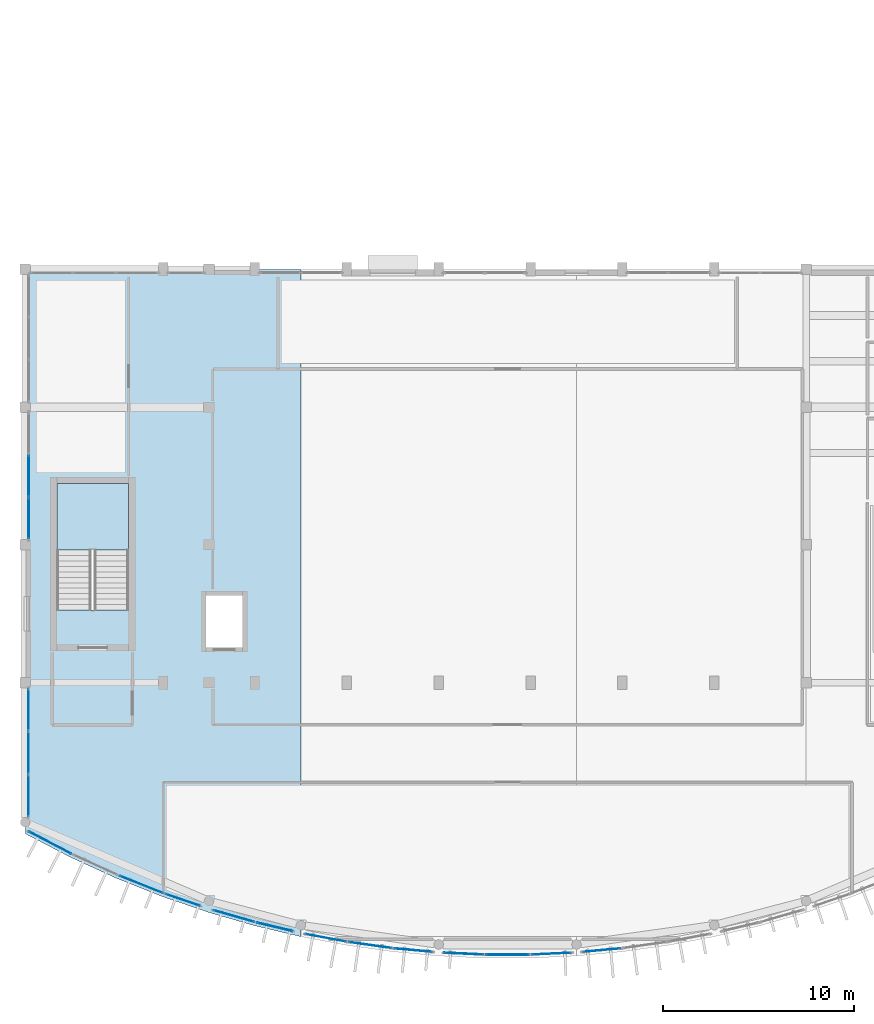
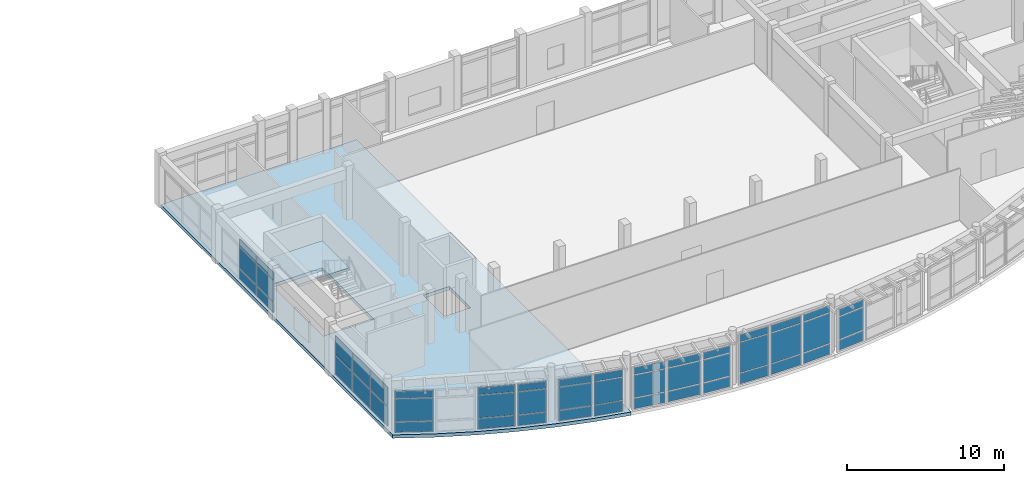
# One storey, part 28 of 60: 48 plates, 2 slabs, 15 elements without a shape of their own.
"""IFC4 building model written with IfcOpenShell, lengths in metres."""

import ifcopenshell
import ifcopenshell.guid

model = None  # the IFC model being written
_history = None  # IfcOwnerHistory: only IFC2X3 demands one
_inside = {}  # id of a spatial element -> (the spatial element, [elements in it])
_under = {}  # id of a project, library or spatial element -> (it, [spatial elements below it])
_declared = {}  # id of a project -> (the project, [libraries it declares])
_typed = {}  # id of a type object -> (the type object, [elements of that type])
_made_of = {}  # id of a material, layer set ... -> (it, [elements and type objects made of it])


def new_model(schema):
    """Start an empty IFC model of exactly this schema.

    Asked for "IFC4X3", IfcOpenShell would pick the latest addendum, in which some entities
    have other attributes; the version numbers below select the first issue.
    IFC2X3 requires an IfcOwnerHistory on every rooted entity: one is made here for all.
    """
    global model, _history
    if schema == "IFC4X3":
        model = ifcopenshell.file(schema_version=(4, 3, 0, 0))
    else:
        model = ifcopenshell.file(schema=schema)
    _inside.clear()
    _under.clear()
    _declared.clear()
    _typed.clear()
    _made_of.clear()
    _history = None
    if model.schema == "IFC2X3":
        org = make("IfcOrganization", Name="unknown")
        user = make(
            "IfcPersonAndOrganization",
            ThePerson=make("IfcPerson", FamilyName="unknown"),
            TheOrganization=org,
        )
        app = make(
            "IfcApplication",
            ApplicationDeveloper=org,
            Version="unknown",
            ApplicationFullName="unknown",
            ApplicationIdentifier="unknown",
        )
        _history = make(
            "IfcOwnerHistory",
            OwningUser=user,
            OwningApplication=app,
            ChangeAction="ADDED",
            CreationDate=0,
        )
    return model


def make(cls, **values):
    """One entity of the class cls with the attributes given. An attribute that is None is left unset."""
    return model.create_entity(
        cls, **{name: value for name, value in values.items() if value is not None}
    )


def rooted(cls, **values):
    """An entity with a GlobalId (a new one), such as an element, a storey or a relation."""
    return make(cls, GlobalId=ifcopenshell.guid.new(), OwnerHistory=_history, **values)


def si_unit(unit_type, name, prefix=None):
    """IfcSIUnit, for example si_unit("LENGTHUNIT", "METRE", prefix="MILLI")."""
    return make("IfcSIUnit", UnitType=unit_type, Prefix=prefix, Name=name)


def assignment(units):
    """IfcUnitAssignment: the units of a project."""
    return None if units is None else make("IfcUnitAssignment", Units=units)


def point(xyz):
    """IfcCartesianPoint."""
    return None if xyz is None else make("IfcCartesianPoint", Coordinates=xyz)


def direction(xyz):
    """IfcDirection."""
    return None if xyz is None else make("IfcDirection", DirectionRatios=xyz)


def frame(location, z_axis=None, x_axis=None):
    """IfcAxis2Placement3D, a coordinate frame: its origin and axes. An axis left out is left unset."""
    return make(
        "IfcAxis2Placement3D",
        Location=point(location),
        Axis=direction(z_axis),
        RefDirection=direction(x_axis),
    )


def frame_2d(location, x_axis=None):
    """IfcAxis2Placement2D, a coordinate frame in the plane: its origin and x axis."""
    return make(
        "IfcAxis2Placement2D", Location=point(location), RefDirection=direction(x_axis)
    )


def origin():
    """The frame at (0, 0, 0) with its axes left unset."""
    return frame((0.0, 0.0, 0.0))


def origin_2d():
    """The frame at (0, 0) in the plane with its x axis left unset."""
    return frame_2d((0.0, 0.0))


def place(relative_to, where):
    """IfcLocalPlacement: puts the frame where relative to a parent placement (None: the world)."""
    return make(
        "IfcLocalPlacement", PlacementRelTo=relative_to, RelativePlacement=where
    )


def context(
    kind, dimensions, precision=None, world=None, true_north=None, identifier=None
):
    """IfcGeometricRepresentationContext, for example the 3D "Model" context."""
    return make(
        "IfcGeometricRepresentationContext",
        ContextIdentifier=identifier,
        ContextType=kind,
        CoordinateSpaceDimension=dimensions,
        Precision=precision,
        WorldCoordinateSystem=world,
        TrueNorth=true_north,
    )


def subcontext(parent, identifier, kind, view, scale=None):
    """IfcGeometricRepresentationSubContext, for example "Body" below "Model"."""
    return make(
        "IfcGeometricRepresentationSubContext",
        ContextIdentifier=identifier,
        ContextType=kind,
        ParentContext=parent,
        TargetScale=scale,
        TargetView=view,
    )


def project(units=None, contexts=None):
    """IfcProject with its units and contexts."""
    return rooted(
        "IfcProject",
        Name="project",
        RepresentationContexts=contexts,
        UnitsInContext=assignment(units),
    )


def spatial(cls, under=None, at=None, **own):
    """A site, building, storey or space (cls), placed at a placement, below another one or the project."""
    s = rooted(cls, ObjectPlacement=at, **own)
    if under is not None:
        _under.setdefault(under.id(), (under, []))[1].append(s)
    return s


def polyline(points):
    """IfcPolyline through the points."""
    return make("IfcPolyline", Points=[point(p) for p in points])


def profile(cls, at=None, kind="AREA", **sizes):
    """A parametric profile (cls). Its sizes go by their IFC names, for example OverallWidth=200.0."""
    return make(cls, ProfileType=kind, Position=at, **sizes)


def rectangle(**sizes):
    """IfcRectangleProfileDef."""
    return profile("IfcRectangleProfileDef", **sizes)


def outline(outer, holes=None, kind="AREA"):
    """IfcArbitraryClosedProfileDef: a profile drawn as a closed curve; with holes, ...WithVoids."""
    if holes is None:
        return make("IfcArbitraryClosedProfileDef", ProfileType=kind, OuterCurve=outer)
    return make(
        "IfcArbitraryProfileDefWithVoids",
        ProfileType=kind,
        OuterCurve=outer,
        InnerCurves=holes,
    )


def extrude(swept, where, along, depth):
    """IfcExtrudedAreaSolid: the profile swept, set in the frame where, extruded along a direction by depth."""
    return make(
        "IfcExtrudedAreaSolid",
        SweptArea=swept,
        Position=where,
        ExtrudedDirection=direction(along),
        Depth=depth,
    )


def shape(context_of_items, identifier, shape_type, items):
    """IfcShapeRepresentation: the items that make up one representation, for example the "Body"."""
    return make(
        "IfcShapeRepresentation",
        ContextOfItems=context_of_items,
        RepresentationIdentifier=identifier,
        RepresentationType=shape_type,
        Items=items,
    )


def material(Name=None, Category=None):
    """IfcMaterial."""
    return make("IfcMaterial", Name=Name, Category=Category)


def layer(
    of_material, thickness, ventilated=None, Name=None, Category=None, Priority=None
):
    """IfcMaterialLayer: one layer of a wall or slab, of a material (None: an air gap)."""
    return make(
        "IfcMaterialLayer",
        Material=of_material,
        LayerThickness=thickness,
        IsVentilated=ventilated,
        Name=Name,
        Category=Category,
        Priority=Priority,
    )


def layer_set(layers, Name=None):
    """IfcMaterialLayerSet."""
    return make("IfcMaterialLayerSet", MaterialLayers=layers, LayerSetName=Name)


def made_of(thing, what):
    """Note that an element or type object is made of a material, layer set ...; save() writes the relation."""
    if what is not None:
        _made_of.setdefault(what.id(), (what, []))[1].append(thing)
    return thing


def type_object(cls, material=None, **own):
    """A type object (cls), such as IfcWallType, which elements share."""
    return made_of(rooted(cls, **own), material)


def element(
    cls,
    number,
    at=None,
    inside=None,
    cuts=None,
    type_object=None,
    material=None,
    context=None,
    identifier="Body",
    shape_type=None,
    held_by="IfcProductDefinitionShape",
    body=None,
    shapes=None,
    **own,
):
    """One element of the class cls, such as IfcWall. Its Tag is "e" and its number.

    at: its placement. inside: the storey or other place that contains it. cuts: it is an
    opening in that element (IfcRelVoidsElement). A single representation is given by context,
    identifier, shape_type and body (its items); several are given by shapes. held_by: the class
    of the entity that holds the representations. save() writes the other relations.
    """
    e = rooted(cls, Tag="e%d" % number, ObjectPlacement=at, **own)
    if body is not None:
        shapes = [shape(context, identifier, shape_type, body)]
    if shapes is not None:
        e.Representation = make(held_by, Representations=shapes)
    if inside is not None:
        _inside.setdefault(inside.id(), (inside, []))[1].append(e)
    if cuts is not None:
        rooted(
            "IfcRelVoidsElement", RelatingBuildingElement=cuts, RelatedOpeningElement=e
        )
    if type_object is not None:
        _typed.setdefault(type_object.id(), (type_object, []))[1].append(e)
    return made_of(e, material)


def aggregate(whole, parts):
    """IfcRelAggregates: a whole, such as a stair, and the parts it consists of."""
    return rooted("IfcRelAggregates", RelatingObject=whole, RelatedObjects=parts)


def save(model, path):
    """Write the relations noted so far, then the file.

    IfcRelAggregates (storeys below a building ...), IfcRelContainedInSpatialStructure (elements
    in a storey), IfcRelDefinesByType, IfcRelAssociatesMaterial and IfcRelDeclares: one each for
    every whole, place, type object, material and project.
    """
    for whole, parts in _under.values():
        aggregate(whole, parts)
    for where, things in _inside.values():
        rooted(
            "IfcRelContainedInSpatialStructure",
            RelatedElements=things,
            RelatingStructure=where,
        )
    for kind, things in _typed.values():
        rooted("IfcRelDefinesByType", RelatedObjects=things, RelatingType=kind)
    for what, things in _made_of.values():
        rooted("IfcRelAssociatesMaterial", RelatedObjects=things, RelatingMaterial=what)
    for by, libraries in _declared.values():
        rooted("IfcRelDeclares", RelatingContext=by, RelatedDefinitions=libraries)
    model.write(path)


model = new_model("IFC4")

# Units and contexts
model_context = context("Model", 3, precision=1e-05, world=origin(), true_north=direction((0.0, 1.0)))
body_context = subcontext(model_context, "Body", "Model", "MODEL_VIEW")
ifc_project = project(units=[si_unit("LENGTHUNIT", "METRE"), si_unit("AREAUNIT", "SQUARE_METRE"), si_unit("VOLUMEUNIT", "CUBIC_METRE"), si_unit("PLANEANGLEUNIT", "RADIAN"), si_unit("MASSUNIT", "GRAM", prefix="KILO")], contexts=[model_context])

# Site, building, storey
site_placement = place(None, origin())
site = spatial("IfcSite", under=ifc_project, at=site_placement, CompositionType="ELEMENT")
building_placement = place(site_placement, origin())
building = spatial("IfcBuilding", under=site, at=building_placement, Name="Brisavento Harbour Community Centre", CompositionType="ELEMENT")
storey_placement = place(building_placement, frame((0.0, 0.0, 4.5)))
storey = spatial("IfcBuildingStorey", under=building, at=storey_placement, Name="L01", CompositionType="ELEMENT", Elevation=4.5)

# Curtain wall, plates
ifc_material_1 = material(Name="Marine-anodised aluminium AW-6063-T6", Category="aluminium")
ifc_layer_1 = layer(ifc_material_1, 0.179931640625, Name="Marine-anodised aluminium AW-6063-T6")
ifc_layer_set_1 = layer_set([ifc_layer_1], Name="Marine-anodised aluminium AW-6063-T6")
curtain_wall_type_1 = type_object("IfcCurtainWallType", Name="CW-SYS-26", PredefinedType="USERDEFINED", material=ifc_layer_set_1)
curtain_wall_1_placement = place(storey_placement, origin())
curtain_wall_1 = element("IfcCurtainWall", 1, at=curtain_wall_1_placement, inside=storey, type_object=curtain_wall_type_1, Name="L01 V1 unitised curtain wall 026", ObjectType="UNITISED CURTAIN WALL", PredefinedType="USERDEFINED")
ifc_material_2 = material(Name="Solar-control laminated low-E glass", Category="glass")
ifc_layer_2 = layer(ifc_material_2, 0.02392578125, Name="Solar-control laminated low-E glass")
ifc_layer_set_2 = layer_set([ifc_layer_2], Name="Solar-control laminated low-E glass")
plate_type_1 = type_object("IfcPlateType", Name="CWP-GLZ-1", PredefinedType="CURTAIN_PANEL", material=ifc_layer_set_2)
plate_1_placement = place(storey_placement, frame((15.7060546875, 1.07177734375, 0.070068359375), z_axis=(0.0, 0.0, 1.0), x_axis=(-0.982796895513, 0.184689637418, 0.0)))
plate_1 = element("IfcPlate", 2, at=plate_1_placement, type_object=plate_type_1, Name="CW-26 panel 1.1", PredefinedType="CURTAIN_PANEL", context=body_context, shape_type="SweptSolid", body=[
    extrude(rectangle(XDim=2.117919921875, YDim=0.02392578125, at=origin_2d()), origin(), (0.0, 0.0, 1.0), 0.794921875),
])
plate_2_placement = place(storey_placement, frame((15.7060546875, 1.07177734375, 0.93505859375), z_axis=(0.0, 0.0, 1.0), x_axis=(-0.982796895513, 0.184689637418, 0.0)))
plate_2 = element("IfcPlate", 3, at=plate_2_placement, type_object=plate_type_1, Name="CW-26 panel 1.2", PredefinedType="CURTAIN_PANEL", context=body_context, shape_type="SweptSolid", body=[
    extrude(rectangle(XDim=2.117919921875, YDim=0.02392578125, at=origin_2d()), origin(), (0.0, 0.0, 1.0), 1.72998046875),
])
plate_3_placement = place(storey_placement, frame((15.7060546875, 1.07177734375, 2.735107421875), z_axis=(0.0, 0.0, 1.0), x_axis=(-0.982796895513, 0.184689637418, 0.0)))
plate_3 = element("IfcPlate", 4, at=plate_3_placement, type_object=plate_type_1, Name="CW-26 panel 1.3", PredefinedType="CURTAIN_PANEL", context=body_context, shape_type="SweptSolid", body=[
    extrude(rectangle(XDim=2.117919921875, YDim=0.02392578125, at=origin_2d()), origin(), (0.0, 0.0, 1.0), 0.544921875),
])
aggregate(curtain_wall_1, [plate_1, plate_2, plate_3])

ifc_layer_3 = layer(ifc_material_1, 0.179931640625, Name="Marine-anodised aluminium AW-6063-T6")
ifc_layer_set_3 = layer_set([ifc_layer_3], Name="Marine-anodised aluminium AW-6063-T6")
curtain_wall_type_2 = type_object("IfcCurtainWallType", Name="CW-SYS-03", PredefinedType="USERDEFINED", material=ifc_layer_set_3)
curtain_wall_2_placement = place(storey_placement, origin())
curtain_wall_2 = element("IfcCurtainWall", 5, at=curtain_wall_2_placement, inside=storey, type_object=curtain_wall_type_2, Name="L01 V1 unitised curtain wall 031", ObjectType="UNITISED CURTAIN WALL", PredefinedType="USERDEFINED")
plate_4_placement = place(storey_placement, frame((27.491455078125, 0.244384765625, 0.074951171875), z_axis=(0.0, 0.0, 1.0), x_axis=(-0.998933696469, -0.046167846582, 0.0)))
plate_4 = element("IfcPlate", 6, at=plate_4_placement, type_object=plate_type_1, Name="CW-03 panel 1.1", PredefinedType="CURTAIN_PANEL", context=body_context, shape_type="SweptSolid", body=[
    extrude(rectangle(XDim=2.01611328125, YDim=0.02392578125, at=origin_2d()), origin(), (0.0, 0.0, 1.0), 0.78759765625),
])
plate_5_placement = place(storey_placement, frame((27.491455078125, 0.244384765625, 0.9375), z_axis=(0.0, 0.0, 1.0), x_axis=(-0.998933696469, -0.046167846582, 0.0)))
plate_5 = element("IfcPlate", 7, at=plate_5_placement, type_object=plate_type_1, Name="CW-03 panel 1.2", PredefinedType="CURTAIN_PANEL", context=body_context, shape_type="SweptSolid", body=[
    extrude(rectangle(XDim=2.01611328125, YDim=0.02392578125, at=origin_2d()), origin(), (0.0, 0.0, 1.0), 2.324951171875),
])
plate_6_placement = place(storey_placement, frame((27.491455078125, 0.244384765625, 3.33740234375), z_axis=(0.0, 0.0, 1.0), x_axis=(-0.998933696469, -0.046167846582, 0.0)))
plate_6 = element("IfcPlate", 8, at=plate_6_placement, type_object=plate_type_1, Name="CW-03 panel 1.3", PredefinedType="CURTAIN_PANEL", context=body_context, shape_type="SweptSolid", body=[
    extrude(rectangle(XDim=2.01611328125, YDim=0.02392578125, at=origin_2d()), origin(), (0.0, 0.0, 1.0), 0.53759765625),
])
aggregate(curtain_wall_2, [plate_4, plate_5, plate_6])

ifc_layer_4 = layer(ifc_material_1, 0.179931640625, Name="Marine-anodised aluminium AW-6063-T6")
ifc_layer_set_4 = layer_set([ifc_layer_4], Name="Marine-anodised aluminium AW-6063-T6")
curtain_wall_type_3 = type_object("IfcCurtainWallType", Name="CW-SYS-22", PredefinedType="USERDEFINED", material=ifc_layer_set_4)
curtain_wall_3_placement = place(storey_placement, origin())
curtain_wall_3 = element("IfcCurtainWall", 9, at=curtain_wall_3_placement, inside=storey, type_object=curtain_wall_type_3, Name="L01 V1 unitised curtain wall 022", ObjectType="UNITISED CURTAIN WALL", PredefinedType="USERDEFINED")
ifc_layer_5 = layer(ifc_material_2, 0.028076171875, Name="Solar-control laminated low-E glass")
ifc_layer_set_5 = layer_set([ifc_layer_5], Name="Solar-control laminated low-E glass")
plate_type_2 = type_object("IfcPlateType", Name="CWP-GLZ-2", PredefinedType="CURTAIN_PANEL", material=ifc_layer_set_5)
plate_7_placement = place(storey_placement, frame((6.06640625, 3.85888671875, 0.070068359375), z_axis=(0.0, 0.0, 1.0), x_axis=(-0.929278798027, 0.369379094613, 0.0)))
plate_7 = element("IfcPlate", 10, at=plate_7_placement, type_object=plate_type_2, Name="CW-22 panel 1.1", PredefinedType="CURTAIN_PANEL", context=body_context, shape_type="SweptSolid", body=[
    extrude(rectangle(XDim=2.40673828125, YDim=0.028076171875, at=origin_2d()), origin(), (0.0, 0.0, 1.0), 0.794921875),
])
plate_8_placement = place(storey_placement, frame((6.06640625, 3.85888671875, 0.93505859375), z_axis=(0.0, 0.0, 1.0), x_axis=(-0.929278798027, 0.369379094613, 0.0)))
plate_8 = element("IfcPlate", 11, at=plate_8_placement, type_object=plate_type_2, Name="CW-22 panel 1.2", PredefinedType="CURTAIN_PANEL", context=body_context, shape_type="SweptSolid", body=[
    extrude(rectangle(XDim=2.40673828125, YDim=0.028076171875, at=origin_2d()), origin(), (0.0, 0.0, 1.0), 1.72998046875),
])
plate_9_placement = place(storey_placement, frame((6.06640625, 3.85888671875, 2.735107421875), z_axis=(0.0, 0.0, 1.0), x_axis=(-0.929278798027, 0.369379094613, 0.0)))
plate_9 = element("IfcPlate", 12, at=plate_9_placement, type_object=plate_type_2, Name="CW-22 panel 1.3", PredefinedType="CURTAIN_PANEL", context=body_context, shape_type="SweptSolid", body=[
    extrude(rectangle(XDim=2.40673828125, YDim=0.028076171875, at=origin_2d()), origin(), (0.0, 0.0, 1.0), 0.544921875),
])
aggregate(curtain_wall_3, [plate_7, plate_8, plate_9])

ifc_layer_6 = layer(ifc_material_1, 0.179931640625, Name="Marine-anodised aluminium AW-6063-T6")
ifc_layer_set_6 = layer_set([ifc_layer_6], Name="Marine-anodised aluminium AW-6063-T6")
curtain_wall_type_4 = type_object("IfcCurtainWallType", Name="CW-SYS-27", PredefinedType="USERDEFINED", material=ifc_layer_set_6)
curtain_wall_4_placement = place(storey_placement, origin())
curtain_wall_4 = element("IfcCurtainWall", 13, at=curtain_wall_4_placement, inside=storey, type_object=curtain_wall_type_4, Name="L01 V1 unitised curtain wall 027", ObjectType="UNITISED CURTAIN WALL", PredefinedType="USERDEFINED")
plate_10_placement = place(storey_placement, frame((18.02490234375, 0.693359375, 0.074951171875), z_axis=(0.0, 0.0, 1.0), x_axis=(-0.990365657711, 0.138476944024, 0.0)))
plate_10 = element("IfcPlate", 14, at=plate_10_placement, type_object=plate_type_2, Name="CW-27 panel 1.1", PredefinedType="CURTAIN_PANEL", context=body_context, shape_type="SweptSolid", body=[
    extrude(rectangle(XDim=2.2373046875, YDim=0.028076171875, at=origin_2d()), origin(), (0.0, 0.0, 1.0), 0.78759765625),
])
plate_11_placement = place(storey_placement, frame((18.02490234375, 0.693359375, 0.9375), z_axis=(0.0, 0.0, 1.0), x_axis=(-0.990365657711, 0.138476944024, 0.0)))
plate_11 = element("IfcPlate", 15, at=plate_11_placement, type_object=plate_type_2, Name="CW-27 panel 1.2", PredefinedType="CURTAIN_PANEL", context=body_context, shape_type="SweptSolid", body=[
    extrude(rectangle(XDim=2.2373046875, YDim=0.028076171875, at=origin_2d()), origin(), (0.0, 0.0, 1.0), 1.72509765625),
])
plate_12_placement = place(storey_placement, frame((18.02490234375, 0.693359375, 2.737548828125), z_axis=(0.0, 0.0, 1.0), x_axis=(-0.990365657711, 0.138476944024, 0.0)))
plate_12 = element("IfcPlate", 16, at=plate_12_placement, type_object=plate_type_2, Name="CW-27 panel 1.3", PredefinedType="CURTAIN_PANEL", context=body_context, shape_type="SweptSolid", body=[
    extrude(rectangle(XDim=2.2373046875, YDim=0.028076171875, at=origin_2d()), origin(), (0.0, 0.0, 1.0), 0.53759765625),
])
aggregate(curtain_wall_4, [plate_10, plate_11, plate_12])

ifc_layer_7 = layer(ifc_material_1, 0.179931640625, Name="Marine-anodised aluminium AW-6063-T6")
ifc_layer_set_7 = layer_set([ifc_layer_7], Name="Marine-anodised aluminium AW-6063-T6")
curtain_wall_type_5 = type_object("IfcCurtainWallType", Name="CW-SYS-04", PredefinedType="USERDEFINED", material=ifc_layer_set_7)
curtain_wall_5_placement = place(storey_placement, origin())
curtain_wall_5 = element("IfcCurtainWall", 17, at=curtain_wall_5_placement, inside=storey, type_object=curtain_wall_type_5, Name="L01 V1 unitised curtain wall 032", ObjectType="UNITISED CURTAIN WALL", PredefinedType="USERDEFINED")
plate_13_placement = place(storey_placement, frame((30.1298828125, 0.428955078125, 0.080078125), z_axis=(0.0, 0.0, 1.0), x_axis=(-0.99573486877, -0.092260886159, 0.0)))
plate_13 = element("IfcPlate", 18, at=plate_13_placement, type_object=plate_type_2, Name="CW-04 panel 1.1", PredefinedType="CURTAIN_PANEL", context=body_context, shape_type="SweptSolid", body=[
    extrude(rectangle(XDim=1.919921875, YDim=0.028076171875, at=origin_2d()), origin(), (0.0, 0.0, 1.0), 0.780029296875),
])
plate_14_placement = place(storey_placement, frame((30.1298828125, 0.428955078125, 0.93994140625), z_axis=(0.0, 0.0, 1.0), x_axis=(-0.99573486877, -0.092260886159, 0.0)))
plate_14 = element("IfcPlate", 19, at=plate_14_placement, type_object=plate_type_2, Name="CW-04 panel 1.2", PredefinedType="CURTAIN_PANEL", context=body_context, shape_type="SweptSolid", body=[
    extrude(rectangle(XDim=1.919921875, YDim=0.028076171875, at=origin_2d()), origin(), (0.0, 0.0, 1.0), 1.719970703125),
])
plate_15_placement = place(storey_placement, frame((30.1298828125, 0.428955078125, 2.73974609375), z_axis=(0.0, 0.0, 1.0), x_axis=(-0.99573486877, -0.092260886159, 0.0)))
plate_15 = element("IfcPlate", 20, at=plate_15_placement, type_object=plate_type_2, Name="CW-04 panel 1.3", PredefinedType="CURTAIN_PANEL", context=body_context, shape_type="SweptSolid", body=[
    extrude(rectangle(XDim=1.919921875, YDim=0.028076171875, at=origin_2d()), origin(), (0.0, 0.0, 1.0), 0.530029296875),
])
aggregate(curtain_wall_5, [plate_13, plate_14, plate_15])

ifc_layer_8 = layer(ifc_material_1, 0.179931640625, Name="Marine-anodised aluminium AW-6063-T6")
ifc_layer_set_8 = layer_set([ifc_layer_8], Name="Marine-anodised aluminium AW-6063-T6")
curtain_wall_type_6 = type_object("IfcCurtainWallType", Name="CW-SYS-19", PredefinedType="USERDEFINED", material=ifc_layer_set_8)
curtain_wall_6_placement = place(storey_placement, origin())
curtain_wall_6 = element("IfcCurtainWall", 21, at=curtain_wall_6_placement, inside=storey, type_object=curtain_wall_type_6, Name="L01 V1 unitised curtain wall 047", ObjectType="UNITISED CURTAIN WALL", PredefinedType="USERDEFINED")
plate_16_placement = place(storey_placement, frame((0.179931640625, 8.499755859375, 0.074951171875), z_axis=(0.0, 0.0, 1.0), x_axis=(0.0, 1.0, 0.0)))
plate_16 = element("IfcPlate", 22, at=plate_16_placement, type_object=plate_type_2, Name="CW-19 panel 1.1", PredefinedType="CURTAIN_PANEL", context=body_context, shape_type="SweptSolid", body=[
    extrude(rectangle(XDim=2.151123046875, YDim=0.028076171875, at=origin_2d()), origin(), (0.0, 0.0, 1.0), 1.46240234375),
])
plate_17_placement = place(storey_placement, frame((0.179931640625, 8.499755859375, 1.612548828125), z_axis=(0.0, 0.0, 1.0), x_axis=(0.0, 1.0, 0.0)))
plate_17 = element("IfcPlate", 23, at=plate_17_placement, type_object=plate_type_2, Name="CW-19 panel 1.2", PredefinedType="CURTAIN_PANEL", context=body_context, shape_type="SweptSolid", body=[
    extrude(rectangle(XDim=2.151123046875, YDim=0.028076171875, at=origin_2d()), origin(), (0.0, 0.0, 1.0), 1.46240234375),
])
plate_18_placement = place(storey_placement, frame((0.179931640625, 10.74462890625, 0.074951171875), z_axis=(0.0, 0.0, 1.0), x_axis=(0.0, 1.0, 0.0)))
plate_18 = element("IfcPlate", 24, at=plate_18_placement, type_object=plate_type_2, Name="CW-19 panel 2.1", PredefinedType="CURTAIN_PANEL", context=body_context, shape_type="SweptSolid", body=[
    extrude(rectangle(XDim=2.188720703125, YDim=0.028076171875, at=origin_2d()), origin(), (0.0, 0.0, 1.0), 1.46240234375),
])
plate_19_placement = place(storey_placement, frame((0.179931640625, 10.74462890625, 1.612548828125), z_axis=(0.0, 0.0, 1.0), x_axis=(0.0, 1.0, 0.0)))
plate_19 = element("IfcPlate", 25, at=plate_19_placement, type_object=plate_type_2, Name="CW-19 panel 2.2", PredefinedType="CURTAIN_PANEL", context=body_context, shape_type="SweptSolid", body=[
    extrude(rectangle(XDim=2.188720703125, YDim=0.028076171875, at=origin_2d()), origin(), (0.0, 0.0, 1.0), 1.46240234375),
])
plate_20_placement = place(storey_placement, frame((0.179931640625, 12.989501953125, 0.074951171875), z_axis=(0.0, 0.0, 1.0), x_axis=(0.0, 1.0, 0.0)))
plate_20 = element("IfcPlate", 26, at=plate_20_placement, type_object=plate_type_2, Name="CW-19 panel 3.1", PredefinedType="CURTAIN_PANEL", context=body_context, shape_type="SweptSolid", body=[
    extrude(rectangle(XDim=2.151123046875, YDim=0.028076171875, at=origin_2d()), origin(), (0.0, 0.0, 1.0), 1.46240234375),
])
plate_21_placement = place(storey_placement, frame((0.179931640625, 12.989501953125, 1.612548828125), z_axis=(0.0, 0.0, 1.0), x_axis=(0.0, 1.0, 0.0)))
plate_21 = element("IfcPlate", 27, at=plate_21_placement, type_object=plate_type_2, Name="CW-19 panel 3.2", PredefinedType="CURTAIN_PANEL", context=body_context, shape_type="SweptSolid", body=[
    extrude(rectangle(XDim=2.151123046875, YDim=0.028076171875, at=origin_2d()), origin(), (0.0, 0.0, 1.0), 1.46240234375),
])
aggregate(curtain_wall_6, [plate_16, plate_17, plate_18, plate_19, plate_20, plate_21])

ifc_layer_9 = layer(ifc_material_1, 0.179931640625, Name="Marine-anodised aluminium AW-6063-T6")
ifc_layer_set_9 = layer_set([ifc_layer_9], Name="Marine-anodised aluminium AW-6063-T6")
curtain_wall_type_7 = type_object("IfcCurtainWallType", Name="CW-SYS-23", PredefinedType="USERDEFINED", material=ifc_layer_set_9)
curtain_wall_7_placement = place(storey_placement, origin())
curtain_wall_7 = element("IfcCurtainWall", 28, at=curtain_wall_7_placement, inside=storey, type_object=curtain_wall_type_7, Name="L01 V1 unitised curtain wall 023", ObjectType="UNITISED CURTAIN WALL", PredefinedType="USERDEFINED")
ifc_layer_10 = layer(ifc_material_2, 0.031982421875, Name="Solar-control laminated low-E glass")
ifc_layer_set_10 = layer_set([ifc_layer_10], Name="Solar-control laminated low-E glass")
plate_type_3 = type_object("IfcPlateType", Name="CWP-GLZ-3", PredefinedType="CURTAIN_PANEL", material=ifc_layer_set_10)
plate_22_placement = place(storey_placement, frame((8.23193359375, 3.052490234375, 0.074951171875), z_axis=(0.0, 0.0, 1.0), x_axis=(-0.946338050136, 0.323178425743, 0.0)))
plate_22 = element("IfcPlate", 29, at=plate_22_placement, type_object=plate_type_3, Name="CW-23 panel 1.1", PredefinedType="CURTAIN_PANEL", context=body_context, shape_type="SweptSolid", body=[
    extrude(rectangle(XDim=1.871826171875, YDim=0.031982421875, at=origin_2d()), origin(), (0.0, 0.0, 1.0), 0.78759765625),
])
plate_23_placement = place(storey_placement, frame((8.23193359375, 3.052490234375, 0.9375), z_axis=(0.0, 0.0, 1.0), x_axis=(-0.946338050136, 0.323178425743, 0.0)))
plate_23 = element("IfcPlate", 30, at=plate_23_placement, type_object=plate_type_3, Name="CW-23 panel 1.2", PredefinedType="CURTAIN_PANEL", context=body_context, shape_type="SweptSolid", body=[
    extrude(rectangle(XDim=1.871826171875, YDim=0.031982421875, at=origin_2d()), origin(), (0.0, 0.0, 1.0), 1.72509765625),
])
plate_24_placement = place(storey_placement, frame((8.23193359375, 3.052490234375, 2.737548828125), z_axis=(0.0, 0.0, 1.0), x_axis=(-0.946338050136, 0.323178425743, 0.0)))
plate_24 = element("IfcPlate", 31, at=plate_24_placement, type_object=plate_type_3, Name="CW-23 panel 1.3", PredefinedType="CURTAIN_PANEL", context=body_context, shape_type="SweptSolid", body=[
    extrude(rectangle(XDim=1.871826171875, YDim=0.031982421875, at=origin_2d()), origin(), (0.0, 0.0, 1.0), 0.53759765625),
])
aggregate(curtain_wall_7, [plate_22, plate_23, plate_24])

ifc_layer_11 = layer(ifc_material_1, 0.179931640625, Name="Marine-anodised aluminium AW-6063-T6")
ifc_layer_set_11 = layer_set([ifc_layer_11], Name="Marine-anodised aluminium AW-6063-T6")
curtain_wall_type_8 = type_object("IfcCurtainWallType", Name="CW-SYS-28", PredefinedType="USERDEFINED", material=ifc_layer_set_11)
curtain_wall_8_placement = place(storey_placement, origin())
curtain_wall_8 = element("IfcCurtainWall", 32, at=curtain_wall_8_placement, inside=storey, type_object=curtain_wall_type_8, Name="L01 V1 unitised curtain wall 028", ObjectType="UNITISED CURTAIN WALL", PredefinedType="USERDEFINED")
plate_25_placement = place(storey_placement, frame((20.27001953125, 0.428955078125, 0.080078125), z_axis=(0.0, 0.0, 1.0), x_axis=(-0.99573486877, 0.092260886159, 0.0)))
plate_25 = element("IfcPlate", 33, at=plate_25_placement, type_object=plate_type_3, Name="CW-28 panel 1.1", PredefinedType="CURTAIN_PANEL", context=body_context, shape_type="SweptSolid", body=[
    extrude(rectangle(XDim=1.919921875, YDim=0.031982421875, at=origin_2d()), origin(), (0.0, 0.0, 1.0), 0.780029296875),
])
plate_26_placement = place(storey_placement, frame((20.27001953125, 0.428955078125, 0.93994140625), z_axis=(0.0, 0.0, 1.0), x_axis=(-0.99573486877, 0.092260886159, 0.0)))
plate_26 = element("IfcPlate", 34, at=plate_26_placement, type_object=plate_type_3, Name="CW-28 panel 1.2", PredefinedType="CURTAIN_PANEL", context=body_context, shape_type="SweptSolid", body=[
    extrude(rectangle(XDim=1.919921875, YDim=0.031982421875, at=origin_2d()), origin(), (0.0, 0.0, 1.0), 1.719970703125),
])
plate_27_placement = place(storey_placement, frame((20.27001953125, 0.428955078125, 2.73974609375), z_axis=(0.0, 0.0, 1.0), x_axis=(-0.99573486877, 0.092260886159, 0.0)))
plate_27 = element("IfcPlate", 35, at=plate_27_placement, type_object=plate_type_3, Name="CW-28 panel 1.3", PredefinedType="CURTAIN_PANEL", context=body_context, shape_type="SweptSolid", body=[
    extrude(rectangle(XDim=1.919921875, YDim=0.031982421875, at=origin_2d()), origin(), (0.0, 0.0, 1.0), 0.530029296875),
])
aggregate(curtain_wall_8, [plate_25, plate_26, plate_27])

ifc_layer_12 = layer(ifc_material_1, 0.179931640625, Name="Marine-anodised aluminium AW-6063-T6")
ifc_layer_set_12 = layer_set([ifc_layer_12], Name="Marine-anodised aluminium AW-6063-T6")
curtain_wall_type_9 = type_object("IfcCurtainWallType", Name="CW-SYS-20", PredefinedType="USERDEFINED", material=ifc_layer_set_12)
curtain_wall_9_placement = place(storey_placement, origin())
curtain_wall_9 = element("IfcCurtainWall", 36, at=curtain_wall_9_placement, inside=storey, type_object=curtain_wall_type_9, Name="L01 V1 unitised curtain wall 048", ObjectType="UNITISED CURTAIN WALL", PredefinedType="USERDEFINED")
plate_28_placement = place(storey_placement, frame((0.179931640625, 22.993408203125, 0.080078125), z_axis=(0.0, 0.0, 1.0), x_axis=(0.0, 1.0, 0.0)))
plate_28 = element("IfcPlate", 37, at=plate_28_placement, type_object=plate_type_3, Name="CW-20 panel 1.1", PredefinedType="CURTAIN_PANEL", context=body_context, shape_type="SweptSolid", body=[
    extrude(rectangle(XDim=2.106689453125, YDim=0.031982421875, at=origin_2d()), origin(), (0.0, 0.0, 1.0), 0.780029296875),
])
plate_29_placement = place(storey_placement, frame((0.179931640625, 22.993408203125, 0.93994140625), z_axis=(0.0, 0.0, 1.0), x_axis=(0.0, 1.0, 0.0)))
plate_29 = element("IfcPlate", 38, at=plate_29_placement, type_object=plate_type_3, Name="CW-20 panel 1.2", PredefinedType="CURTAIN_PANEL", context=body_context, shape_type="SweptSolid", body=[
    extrude(rectangle(XDim=2.106689453125, YDim=0.031982421875, at=origin_2d()), origin(), (0.0, 0.0, 1.0), 1.6201171875),
])
plate_30_placement = place(storey_placement, frame((0.179931640625, 22.993408203125, 2.64013671875), z_axis=(0.0, 0.0, 1.0), x_axis=(0.0, 1.0, 0.0)))
plate_30 = element("IfcPlate", 39, at=plate_30_placement, type_object=plate_type_3, Name="CW-20 panel 1.3", PredefinedType="CURTAIN_PANEL", context=body_context, shape_type="SweptSolid", body=[
    extrude(rectangle(XDim=2.106689453125, YDim=0.031982421875, at=origin_2d()), origin(), (0.0, 0.0, 1.0), 0.530029296875),
])
plate_31_placement = place(storey_placement, frame((0.179931640625, 25.199951171875, 0.080078125), z_axis=(0.0, 0.0, 1.0), x_axis=(0.0, 1.0, 0.0)))
plate_31 = element("IfcPlate", 40, at=plate_31_placement, type_object=plate_type_3, Name="CW-20 panel 2.1", PredefinedType="CURTAIN_PANEL", context=body_context, shape_type="SweptSolid", body=[
    extrude(rectangle(XDim=2.146728515625, YDim=0.031982421875, at=origin_2d()), origin(), (0.0, 0.0, 1.0), 0.780029296875),
])
plate_32_placement = place(storey_placement, frame((0.179931640625, 25.199951171875, 0.93994140625), z_axis=(0.0, 0.0, 1.0), x_axis=(0.0, 1.0, 0.0)))
plate_32 = element("IfcPlate", 41, at=plate_32_placement, type_object=plate_type_3, Name="CW-20 panel 2.2", PredefinedType="CURTAIN_PANEL", context=body_context, shape_type="SweptSolid", body=[
    extrude(rectangle(XDim=2.146728515625, YDim=0.031982421875, at=origin_2d()), origin(), (0.0, 0.0, 1.0), 1.6201171875),
])
plate_33_placement = place(storey_placement, frame((0.179931640625, 25.199951171875, 2.64013671875), z_axis=(0.0, 0.0, 1.0), x_axis=(0.0, 1.0, 0.0)))
plate_33 = element("IfcPlate", 42, at=plate_33_placement, type_object=plate_type_3, Name="CW-20 panel 2.3", PredefinedType="CURTAIN_PANEL", context=body_context, shape_type="SweptSolid", body=[
    extrude(rectangle(XDim=2.146728515625, YDim=0.031982421875, at=origin_2d()), origin(), (0.0, 0.0, 1.0), 0.530029296875),
])
aggregate(curtain_wall_9, [plate_28, plate_29, plate_30, plate_31, plate_32, plate_33])

ifc_layer_13 = layer(ifc_material_1, 0.179931640625, Name="Marine-anodised aluminium AW-6063-T6")
ifc_layer_set_13 = layer_set([ifc_layer_13], Name="Marine-anodised aluminium AW-6063-T6")
curtain_wall_type_10 = type_object("IfcCurtainWallType", Name="CW-SYS-24", PredefinedType="USERDEFINED", material=ifc_layer_set_13)
curtain_wall_10_placement = place(storey_placement, origin())
curtain_wall_10 = element("IfcCurtainWall", 43, at=curtain_wall_10_placement, inside=storey, type_object=curtain_wall_type_10, Name="L01 V1 unitised curtain wall 024", ObjectType="UNITISED CURTAIN WALL", PredefinedType="USERDEFINED")
ifc_layer_14 = layer(ifc_material_2, 0.035888671875, Name="Solar-control laminated low-E glass")
ifc_layer_set_14 = layer_set([ifc_layer_14], Name="Solar-control laminated low-E glass")
plate_type_4 = type_object("IfcPlateType", Name="CWP-GLZ-4", PredefinedType="CURTAIN_PANEL", material=ifc_layer_set_14)
plate_34_placement = place(storey_placement, frame((10.90283203125, 2.206787109375, 0.080078125), z_axis=(0.0, 0.0, 1.0), x_axis=(-0.960866482785, 0.277011917183, 0.0)))
plate_34 = element("IfcPlate", 44, at=plate_34_placement, type_object=plate_type_4, Name="CW-24 panel 1.1", PredefinedType="CURTAIN_PANEL", context=body_context, shape_type="SweptSolid", body=[
    extrude(rectangle(XDim=2.19140625, YDim=0.035888671875, at=origin_2d()), origin(), (0.0, 0.0, 1.0), 0.780029296875),
])
plate_35_placement = place(storey_placement, frame((10.90283203125, 2.206787109375, 0.93994140625), z_axis=(0.0, 0.0, 1.0), x_axis=(-0.960866482785, 0.277011917183, 0.0)))
plate_35 = element("IfcPlate", 45, at=plate_35_placement, type_object=plate_type_4, Name="CW-24 panel 1.2", PredefinedType="CURTAIN_PANEL", context=body_context, shape_type="SweptSolid", body=[
    extrude(rectangle(XDim=2.19140625, YDim=0.035888671875, at=origin_2d()), origin(), (0.0, 0.0, 1.0), 1.719970703125),
])
plate_36_placement = place(storey_placement, frame((10.90283203125, 2.206787109375, 2.73974609375), z_axis=(0.0, 0.0, 1.0), x_axis=(-0.960866482785, 0.277011917183, 0.0)))
plate_36 = element("IfcPlate", 46, at=plate_36_placement, type_object=plate_type_4, Name="CW-24 panel 1.3", PredefinedType="CURTAIN_PANEL", context=body_context, shape_type="SweptSolid", body=[
    extrude(rectangle(XDim=2.19140625, YDim=0.035888671875, at=origin_2d()), origin(), (0.0, 0.0, 1.0), 0.530029296875),
])
aggregate(curtain_wall_10, [plate_34, plate_35, plate_36])

ifc_layer_15 = layer(ifc_material_1, 0.179931640625, Name="Marine-anodised aluminium AW-6063-T6")
ifc_layer_set_15 = layer_set([ifc_layer_15], Name="Marine-anodised aluminium AW-6063-T6")
curtain_wall_type_11 = type_object("IfcCurtainWallType", Name="CW-SYS-01", PredefinedType="USERDEFINED", material=ifc_layer_set_15)
curtain_wall_11_placement = place(storey_placement, origin())
curtain_wall_11 = element("IfcCurtainWall", 47, at=curtain_wall_11_placement, inside=storey, type_object=curtain_wall_type_11, Name="L01 V1 unitised curtain wall 029", ObjectType="UNITISED CURTAIN WALL", PredefinedType="USERDEFINED")
plate_37_placement = place(storey_placement, frame((22.908447265625, 0.244384765625, 0.06494140625), z_axis=(0.0, 0.0, 1.0), x_axis=(-0.998933696469, 0.046167846582, 0.0)))
plate_37 = element("IfcPlate", 48, at=plate_37_placement, type_object=plate_type_4, Name="CW-01 panel 1.1", PredefinedType="CURTAIN_PANEL", context=body_context, shape_type="SweptSolid", body=[
    extrude(rectangle(XDim=2.035888671875, YDim=0.035888671875, at=origin_2d()), origin(), (0.0, 0.0, 1.0), 0.802490234375),
])
plate_38_placement = place(storey_placement, frame((22.908447265625, 0.244384765625, 0.9326171875), z_axis=(0.0, 0.0, 1.0), x_axis=(-0.998933696469, 0.046167846582, 0.0)))
plate_38 = element("IfcPlate", 49, at=plate_38_placement, type_object=plate_type_4, Name="CW-01 panel 1.2", PredefinedType="CURTAIN_PANEL", context=body_context, shape_type="SweptSolid", body=[
    extrude(rectangle(XDim=2.035888671875, YDim=0.035888671875, at=origin_2d()), origin(), (0.0, 0.0, 1.0), 2.3349609375),
])
plate_39_placement = place(storey_placement, frame((22.908447265625, 0.244384765625, 3.33251953125), z_axis=(0.0, 0.0, 1.0), x_axis=(-0.998933696469, 0.046167846582, 0.0)))
plate_39 = element("IfcPlate", 50, at=plate_39_placement, type_object=plate_type_4, Name="CW-01 panel 1.3", PredefinedType="CURTAIN_PANEL", context=body_context, shape_type="SweptSolid", body=[
    extrude(rectangle(XDim=2.035888671875, YDim=0.035888671875, at=origin_2d()), origin(), (0.0, 0.0, 1.0), 0.552490234375),
])
aggregate(curtain_wall_11, [plate_37, plate_38, plate_39])

curtain_wall_12_placement = place(storey_placement, origin())
curtain_wall_12 = element("IfcCurtainWall", 51, at=curtain_wall_12_placement, inside=storey, type_object=curtain_wall_type_9, Name="L01 V1 unitised curtain wall 020", ObjectType="UNITISED CURTAIN WALL", PredefinedType="USERDEFINED")
ifc_layer_16 = layer(ifc_material_2, 0.0400390625, Name="Solar-control laminated low-E glass")
ifc_layer_set_16 = layer_set([ifc_layer_16], Name="Solar-control laminated low-E glass")
plate_type_5 = type_object("IfcPlateType", Name="CWP-GLZ-5", PredefinedType="CURTAIN_PANEL", material=ifc_layer_set_16)
plate_40_placement = place(storey_placement, frame((1.295166015625, 6.04296875, 0.080078125), z_axis=(0.0, 0.0, 1.0), x_axis=(-0.887019684969, 0.461731608705, 0.0)))
plate_40 = element("IfcPlate", 52, at=plate_40_placement, type_object=plate_type_5, Name="CW-20 panel 1.1", PredefinedType="CURTAIN_PANEL", context=body_context, shape_type="SweptSolid", body=[
    extrude(rectangle(XDim=2.482421875, YDim=0.0400390625, at=origin_2d()), origin(), (0.0, 0.0, 1.0), 0.780029296875),
])
plate_41_placement = place(storey_placement, frame((1.295166015625, 6.04296875, 0.93994140625), z_axis=(0.0, 0.0, 1.0), x_axis=(-0.887019684969, 0.461731608705, 0.0)))
plate_41 = element("IfcPlate", 53, at=plate_41_placement, type_object=plate_type_5, Name="CW-20 panel 1.2", PredefinedType="CURTAIN_PANEL", context=body_context, shape_type="SweptSolid", body=[
    extrude(rectangle(XDim=2.482421875, YDim=0.0400390625, at=origin_2d()), origin(), (0.0, 0.0, 1.0), 1.719970703125),
])
plate_42_placement = place(storey_placement, frame((1.295166015625, 6.04296875, 2.73974609375), z_axis=(0.0, 0.0, 1.0), x_axis=(-0.887019684969, 0.461731608705, 0.0)))
plate_42 = element("IfcPlate", 54, at=plate_42_placement, type_object=plate_type_5, Name="CW-20 panel 1.3", PredefinedType="CURTAIN_PANEL", context=body_context, shape_type="SweptSolid", body=[
    extrude(rectangle(XDim=2.482421875, YDim=0.0400390625, at=origin_2d()), origin(), (0.0, 0.0, 1.0), 0.530029296875),
])
aggregate(curtain_wall_12, [plate_40, plate_41, plate_42])

ifc_layer_17 = layer(ifc_material_1, 0.179931640625, Name="Marine-anodised aluminium AW-6063-T6")
ifc_layer_set_17 = layer_set([ifc_layer_17], Name="Marine-anodised aluminium AW-6063-T6")
curtain_wall_type_12 = type_object("IfcCurtainWallType", Name="CW-SYS-25", PredefinedType="USERDEFINED", material=ifc_layer_set_17)
curtain_wall_13_placement = place(storey_placement, origin())
curtain_wall_13 = element("IfcCurtainWall", 55, at=curtain_wall_13_placement, inside=storey, type_object=curtain_wall_type_12, Name="L01 V1 unitised curtain wall 025", ObjectType="UNITISED CURTAIN WALL", PredefinedType="USERDEFINED")
plate_43_placement = place(storey_placement, frame((13.0439453125, 1.640625, 0.06494140625), z_axis=(0.0, 0.0, 1.0), x_axis=(-0.972998297489, 0.230812289714, 0.0)))
plate_43 = element("IfcPlate", 56, at=plate_43_placement, type_object=plate_type_5, Name="CW-25 panel 1.1", PredefinedType="CURTAIN_PANEL", context=body_context, shape_type="SweptSolid", body=[
    extrude(rectangle(XDim=1.89404296875, YDim=0.0400390625, at=origin_2d()), origin(), (0.0, 0.0, 1.0), 0.802490234375),
])
plate_44_placement = place(storey_placement, frame((13.0439453125, 1.640625, 0.9326171875), z_axis=(0.0, 0.0, 1.0), x_axis=(-0.972998297489, 0.230812289714, 0.0)))
plate_44 = element("IfcPlate", 57, at=plate_44_placement, type_object=plate_type_5, Name="CW-25 panel 1.2", PredefinedType="CURTAIN_PANEL", context=body_context, shape_type="SweptSolid", body=[
    extrude(rectangle(XDim=1.89404296875, YDim=0.0400390625, at=origin_2d()), origin(), (0.0, 0.0, 1.0), 1.735107421875),
])
plate_45_placement = place(storey_placement, frame((13.0439453125, 1.640625, 2.732421875), z_axis=(0.0, 0.0, 1.0), x_axis=(-0.972998297489, 0.230812289714, 0.0)))
plate_45 = element("IfcPlate", 58, at=plate_45_placement, type_object=plate_type_5, Name="CW-25 panel 1.3", PredefinedType="CURTAIN_PANEL", context=body_context, shape_type="SweptSolid", body=[
    extrude(rectangle(XDim=1.89404296875, YDim=0.0400390625, at=origin_2d()), origin(), (0.0, 0.0, 1.0), 0.552490234375),
])
aggregate(curtain_wall_13, [plate_43, plate_44, plate_45])

ifc_layer_18 = layer(ifc_material_1, 0.179931640625, Name="Marine-anodised aluminium AW-6063-T6")
ifc_layer_set_18 = layer_set([ifc_layer_18], Name="Marine-anodised aluminium AW-6063-T6")
curtain_wall_type_13 = type_object("IfcCurtainWallType", Name="CW-SYS-02", PredefinedType="USERDEFINED", material=ifc_layer_set_18)
curtain_wall_14_placement = place(storey_placement, origin())
curtain_wall_14 = element("IfcCurtainWall", 59, at=curtain_wall_14_placement, inside=storey, type_object=curtain_wall_type_13, Name="L01 V1 unitised curtain wall 030", ObjectType="UNITISED CURTAIN WALL", PredefinedType="USERDEFINED")
plate_46_placement = place(storey_placement, frame((25.199951171875, 0.19384765625, 0.070068359375), z_axis=(0.0, 0.0, 1.0), x_axis=(-1.0, 0.0, 0.0)))
plate_46 = element("IfcPlate", 60, at=plate_46_placement, type_object=plate_type_5, Name="CW-02 panel 1.1", PredefinedType="CURTAIN_PANEL", context=body_context, shape_type="SweptSolid", body=[
    extrude(rectangle(XDim=2.22412109375, YDim=0.0400390625, at=origin_2d()), origin(), (0.0, 0.0, 1.0), 0.794921875),
])
plate_47_placement = place(storey_placement, frame((25.199951171875, 0.19384765625, 0.93505859375), z_axis=(0.0, 0.0, 1.0), x_axis=(-1.0, 0.0, 0.0)))
plate_47 = element("IfcPlate", 61, at=plate_47_placement, type_object=plate_type_5, Name="CW-02 panel 1.2", PredefinedType="CURTAIN_PANEL", context=body_context, shape_type="SweptSolid", body=[
    extrude(rectangle(XDim=2.22412109375, YDim=0.0400390625, at=origin_2d()), origin(), (0.0, 0.0, 1.0), 2.330078125),
])
plate_48_placement = place(storey_placement, frame((25.199951171875, 0.19384765625, 3.3349609375), z_axis=(0.0, 0.0, 1.0), x_axis=(-1.0, 0.0, 0.0)))
plate_48 = element("IfcPlate", 62, at=plate_48_placement, type_object=plate_type_5, Name="CW-02 panel 1.3", PredefinedType="CURTAIN_PANEL", context=body_context, shape_type="SweptSolid", body=[
    extrude(rectangle(XDim=2.22412109375, YDim=0.0400390625, at=origin_2d()), origin(), (0.0, 0.0, 1.0), 0.544921875),
])
aggregate(curtain_wall_14, [plate_46, plate_47, plate_48])

# Slab
ifc_material_3 = material(Name="Concrete C35/45", Category="concrete")
ifc_layer_19 = layer(ifc_material_3, 0.260009765625, Name="Concrete C35/45")
ifc_layer_set_19 = layer_set([ifc_layer_19], Name="Concrete C35/45")
slab_type_1 = type_object("IfcSlabType", Name="SLB-FLR-260", PredefinedType="FLOOR", material=ifc_layer_set_19)
slab_1_placement = place(storey_placement, frame((0.0, 0.0, -0.260009765625)))
element("IfcSlab", 63, at=slab_1_placement, inside=storey, type_object=slab_type_1, Name="L01 V1 structural floor slab 018", PredefinedType="FLOOR", context=body_context, shape_type="SweptSolid", body=[
    extrude(outline(polyline([(0.0, 36.0), (0.0, 6.51416015625), (2.39990234375, 5.264892578125), (4.800048828125, 4.168701171875), (7.199951171875, 3.21484375), (9.60009765625, 2.395263671875), (12.0, 1.703369140625), (14.39990234375, 1.1337890625), (14.39990234375, 36.0), (0.0, 36.0)]), holes=[polyline([(11.35009765625, 18.949951171875), (11.35009765625, 16.25), (9.449951171875, 16.25), (9.449951171875, 18.949951171875), (11.35009765625, 18.949951171875)]), polyline([(5.39208984375, 24.7919921875), (5.39208984375, 18.2080078125), (1.657958984375, 18.2080078125), (1.657958984375, 24.7919921875), (5.39208984375, 24.7919921875)])]), origin(), (0.0, 0.0, 1.0), 0.260009765625),
])

# Stair, slab
stair_type = type_object("IfcStairType", Name="STR-DL-4200", PredefinedType="HALF_TURN_STAIR", material=ifc_material_3)
stair_placement = place(storey_placement, origin())
stair = element("IfcStair", 64, at=stair_placement, inside=storey, type_object=stair_type, Name="L01 ST-01", PredefinedType="HALF_TURN_STAIR")
ifc_layer_20 = layer(ifc_material_3, 0.199951171875, Name="Concrete C35/45")
ifc_layer_set_20 = layer_set([ifc_layer_20], Name="Concrete C35/45")
slab_type_2 = type_object("IfcSlabType", Name="SLB-LND-200", PredefinedType="LANDING", material=ifc_layer_set_20)
slab_2_placement = place(storey_placement, frame((0.0, 0.0, 1.89990234375)))
slab_2 = element("IfcSlab", 65, at=slab_2_placement, type_object=slab_type_2, Name="ST-01 landing 1", PredefinedType="LANDING", context=body_context, shape_type="SweptSolid", body=[
    extrude(outline(polyline([(5.39990234375, 21.3349609375), (5.39990234375, 24.800048828125), (1.64990234375, 24.800048828125), (1.64990234375, 21.3349609375), (5.39990234375, 21.3349609375)])), origin(), (0.0, 0.0, 1.0), 0.2001953125),
])
aggregate(stair, [slab_2])

save(model, "model.ifc")
